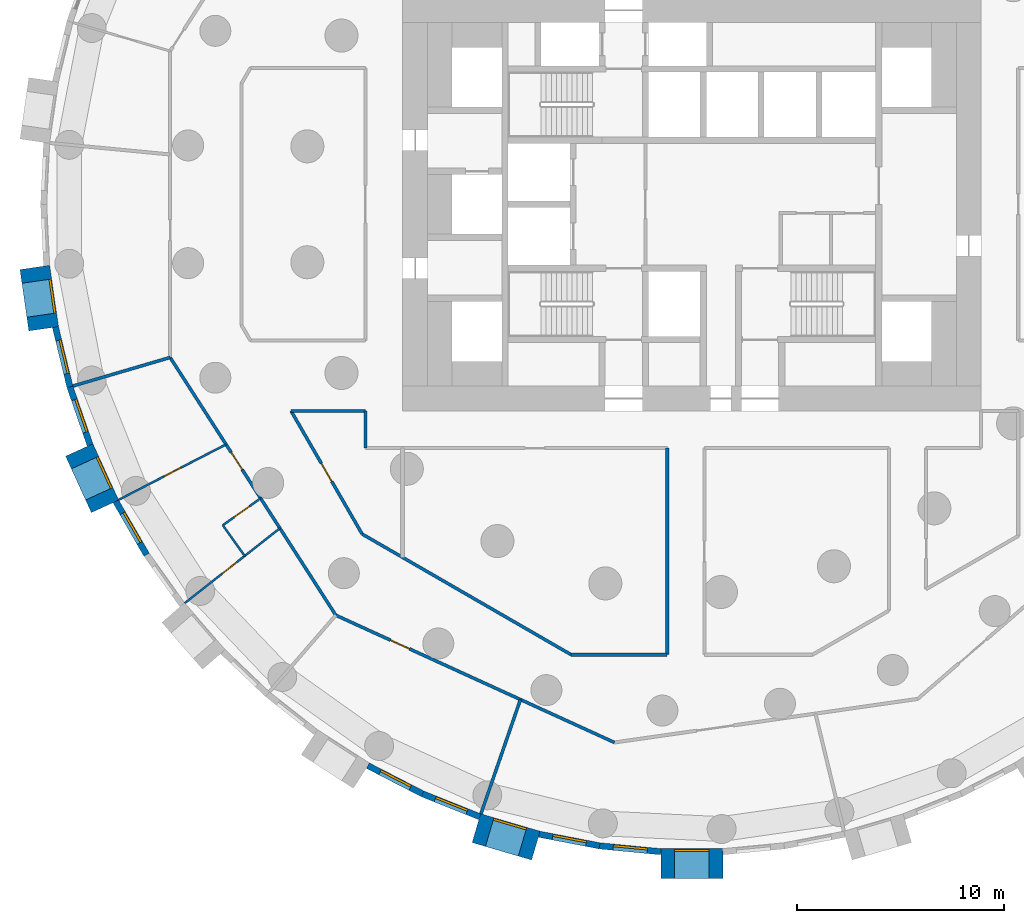
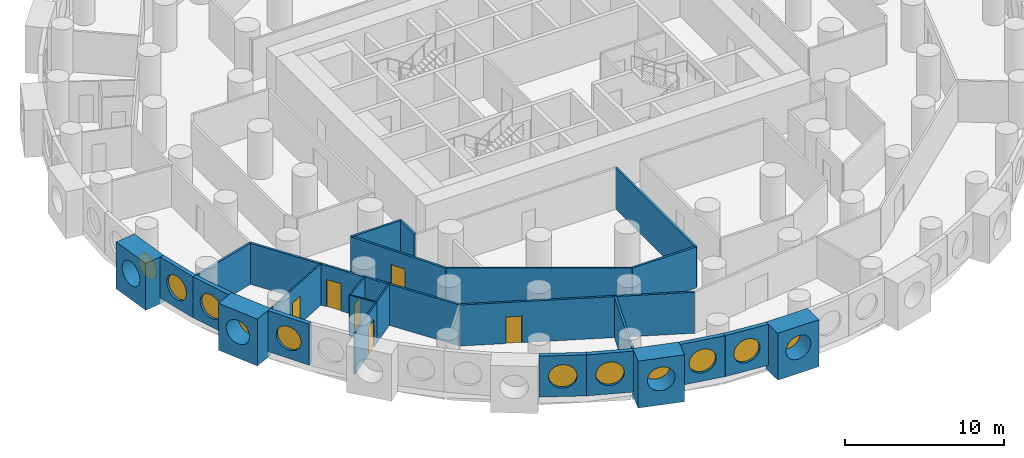
# One storey, part 3 of 12: 26 walls, 11 windows, 6 doors, 17 openings.
"""IFC4 building model written with IfcOpenShell, lengths in metres."""

from ifc_helpers import new_model, si_unit, direction, frame, frame_2d, origin, origin_2d, place, context, subcontext, project, spatial, rectangle, circle, extrude, material, layer, layer_set, type_object, element, fill, save


model = new_model("IFC4")

# Units and contexts
model_context = context("Model", 3, precision=1e-05, world=origin(), true_north=direction((0.0, 1.0)))
body_context = subcontext(model_context, "Body", "Model", "MODEL_VIEW")
ifc_project = project(units=[si_unit("LENGTHUNIT", "METRE"), si_unit("AREAUNIT", "SQUARE_METRE"), si_unit("VOLUMEUNIT", "CUBIC_METRE"), si_unit("PLANEANGLEUNIT", "RADIAN"), si_unit("MASSUNIT", "GRAM", prefix="KILO")], contexts=[model_context])

# Site, building, storey
site_placement = place(None, origin())
site = spatial("IfcSite", under=ifc_project, at=site_placement, CompositionType="ELEMENT")
building_placement = place(site_placement, origin())
building = spatial("IfcBuilding", under=site, at=building_placement, Name="Tracery Tower", CompositionType="ELEMENT")
storey_placement = place(building_placement, frame((0.0, 0.0, 53.39990234375)))
storey = spatial("IfcBuildingStorey", under=building, at=storey_placement, Name="L12", CompositionType="ELEMENT", Elevation=53.39990234375)

# Wall, opening, window
ifc_material_1 = material(Name="Precast concrete C50/60", Category="concrete")
ifc_layer_1 = layer(ifc_material_1, 1.449951171875)
ifc_layer_set_1 = layer_set([ifc_layer_1], Name="Deep-set bay unit 3000 x 3600, slab edge 450")
wall_type_1 = type_object("IfcWallType", Name="Deep-set bay unit 3000 x 3600, slab edge 450", PredefinedType="ELEMENTEDWALL", material=ifc_layer_set_1)
wall_1_placement = place(storey_placement, frame((-31.802490234375, -3.05712890625, -0.449951171875), z_axis=(0.0, 0.0, 1.0), x_axis=(0.142332746704, -0.989818866872, 0.0)))
wall_1 = element("IfcWall", 1, at=wall_1_placement, inside=storey, type_object=wall_type_1, Name="Deep-set bay unit 35 at L12", PredefinedType="ELEMENTEDWALL", context=body_context, shape_type="SweptSolid", body=[
    extrude(rectangle(XDim=3.0, YDim=1.449951171875, at=frame_2d((1.5, 0.0))), origin(), (0.0, 0.0, 1.0), 3.60009765625),
])
opening_1_placement = place(wall_1_placement, frame((1.5, 0.0, 2.0)))
opening_1 = element("IfcOpeningElement", 2, at=opening_1_placement, cuts=wall_1, Name="Opening WN1", PredefinedType="OPENING", context=body_context, shape_type="SweptSolid", body=[
    extrude(circle(Radius=0.9000244140625, at=origin_2d()), frame((0.0, 0.73486328125, 0.0), z_axis=(0.0, -1.0, 0.0), x_axis=(1.0, 0.0, 0.0)), (0.0, 0.0, 1.0), 1.469970703125),
])
ifc_material_2 = material(Name="Aluminium frame with tinted double glazing", Category="aluminium")
window_type = type_object("IfcWindowType", Name="Round window 1800", PartitioningType="SINGLE_PANEL", PredefinedType="WINDOW", material=ifc_material_2)
window_1_placement = place(opening_1_placement, origin())
window_1 = element("IfcWindow", 3, at=window_1_placement, inside=storey, type_object=window_type, Name="Round window 35 at L12", OverallHeight=1.800048828125, OverallWidth=1.800048828125, PartitioningType="SINGLE_PANEL", PredefinedType="WINDOW", context=body_context, shape_type="SweptSolid", body=[
    extrude(circle(Radius=0.9000244140625, at=origin_2d()), frame((0.0, 0.69482421875, 0.0), z_axis=(0.0, -1.0, 0.0), x_axis=(1.0, 0.0, 0.0)), (0.0, 0.0, 1.0), 0.10009765625),
])
fill(opening_1, window_1)

wall_2_placement = place(storey_placement, frame((-29.653076171875, -11.89306640625, -0.449951171875), z_axis=(0.0, 0.0, 1.0), x_axis=(0.415427028395, -0.909626508012, 0.0)))
wall_2 = element("IfcWall", 4, at=wall_2_placement, inside=storey, type_object=wall_type_1, Name="Deep-set bay unit 38 at L12", PredefinedType="ELEMENTEDWALL", context=body_context, shape_type="SweptSolid", body=[
    extrude(rectangle(XDim=3.000244140625, YDim=1.449951171875, at=frame_2d((1.5, 0.0))), origin(), (0.0, 0.0, 1.0), 3.60009765625),
])
opening_2_placement = place(wall_2_placement, frame((1.5, 0.0, 2.0)))
opening_2 = element("IfcOpeningElement", 5, at=opening_2_placement, cuts=wall_2, Name="Opening WN1", PredefinedType="OPENING", context=body_context, shape_type="SweptSolid", body=[
    extrude(circle(Radius=0.9000244140625, at=origin_2d()), frame((0.0, 0.73486328125, 0.0), z_axis=(0.0, -1.0, 0.0), x_axis=(1.0, 0.0, 0.0)), (0.0, 0.0, 1.0), 1.469970703125),
])
window_2_placement = place(opening_2_placement, origin())
window_2 = element("IfcWindow", 6, at=window_2_placement, inside=storey, type_object=window_type, Name="Round window 38 at L12", OverallHeight=1.800048828125, OverallWidth=1.800048828125, PartitioningType="SINGLE_PANEL", PredefinedType="WINDOW", context=body_context, shape_type="SweptSolid", body=[
    extrude(circle(Radius=0.9000244140625, at=origin_2d()), frame((0.0, 0.69482421875, 0.0), z_axis=(0.0, -1.0, 0.0), x_axis=(1.0, 0.0, 0.0)), (0.0, 0.0, 1.0), 0.10009765625),
])
fill(opening_2, window_2)

wall_3_placement = place(storey_placement, frame((-10.430419921875, -30.198486328125, -0.449951171875), z_axis=(0.0, 0.0, 1.0), x_axis=(0.959489813418, -0.281743319258, 0.0)))
wall_3 = element("IfcWall", 7, at=wall_3_placement, inside=storey, type_object=wall_type_1, Name="Deep-set bay unit 47 at L12", PredefinedType="ELEMENTEDWALL", context=body_context, shape_type="SweptSolid", body=[
    extrude(rectangle(XDim=3.0, YDim=1.449951171875, at=frame_2d((1.5, 0.0))), origin(), (0.0, 0.0, 1.0), 3.60009765625),
])
opening_3_placement = place(wall_3_placement, frame((1.5, 0.0, 2.0)))
opening_3 = element("IfcOpeningElement", 8, at=opening_3_placement, cuts=wall_3, Name="Opening WN1", PredefinedType="OPENING", context=body_context, shape_type="SweptSolid", body=[
    extrude(circle(Radius=0.9000244140625, at=origin_2d()), frame((0.0, 0.73486328125, 0.0), z_axis=(0.0, -1.0, 0.0), x_axis=(1.0, 0.0, 0.0)), (0.0, 0.0, 1.0), 1.469970703125),
])
window_3_placement = place(opening_3_placement, origin())
window_3 = element("IfcWindow", 9, at=window_3_placement, inside=storey, type_object=window_type, Name="Round window 47 at L12", OverallHeight=1.800048828125, OverallWidth=1.800048828125, PartitioningType="SINGLE_PANEL", PredefinedType="WINDOW", context=body_context, shape_type="SweptSolid", body=[
    extrude(circle(Radius=0.9000244140625, at=origin_2d()), frame((0.0, 0.69482421875, 0.0), z_axis=(0.0, -1.0, 0.0), x_axis=(1.0, 0.0, 0.0)), (0.0, 0.0, 1.0), 0.10009765625),
])
fill(opening_3, window_3)

wall_4_placement = place(storey_placement, frame((-1.5, -31.913818359375, -0.449951171875), z_axis=(0.0, 0.0, 1.0), x_axis=(1.0, 0.0, 0.0)))
wall_4 = element("IfcWall", 10, at=wall_4_placement, inside=storey, type_object=wall_type_1, Name="Deep-set bay unit 50 at L12", PredefinedType="ELEMENTEDWALL", context=body_context, shape_type="SweptSolid", body=[
    extrude(rectangle(XDim=3.0, YDim=1.449951171875, at=frame_2d((1.5, 0.0))), origin(), (0.0, 0.0, 1.0), 3.60009765625),
])
opening_4_placement = place(wall_4_placement, frame((1.5, 0.0, 2.0)))
opening_4 = element("IfcOpeningElement", 11, at=opening_4_placement, cuts=wall_4, Name="Opening WN1", PredefinedType="OPENING", context=body_context, shape_type="SweptSolid", body=[
    extrude(circle(Radius=0.9000244140625, at=origin_2d()), frame((0.0, 0.73486328125, 0.0), z_axis=(0.0, -1.0, 0.0), x_axis=(1.0, 0.0, 0.0)), (0.0, 0.0, 1.0), 1.469970703125),
])
window_4_placement = place(opening_4_placement, origin())
window_4 = element("IfcWindow", 12, at=window_4_placement, inside=storey, type_object=window_type, Name="Round window 50 at L12", OverallHeight=1.800048828125, OverallWidth=1.800048828125, PartitioningType="SINGLE_PANEL", PredefinedType="WINDOW", context=body_context, shape_type="SweptSolid", body=[
    extrude(circle(Radius=0.9000244140625, at=origin_2d()), frame((0.0, 0.69482421875, 0.0), z_axis=(0.0, -1.0, 0.0), x_axis=(1.0, 0.0, 0.0)), (0.0, 0.0, 1.0), 0.10009765625),
])
fill(opening_4, window_4)

ifc_material_3 = material(Name="Precast concrete C50/60", Category="concrete")
ifc_layer_2 = layer(ifc_material_3, 0.300048828125)
ifc_layer_set_2 = layer_set([ifc_layer_2], Name="Facade panel 3000 x 3150")
wall_type_2 = type_object("IfcWallType", Name="Facade panel 3000 x 3150", PredefinedType="SOLIDWALL", material=ifc_layer_set_2)
wall_5_placement = place(storey_placement, frame((-30.805908203125, -5.943603515625, 0.0), z_axis=(0.0, 0.0, 1.0), x_axis=(0.235743081534, -0.971815414319, 0.0)))
wall_5 = element("IfcWall", 13, at=wall_5_placement, inside=storey, type_object=wall_type_2, Name="Facade panel 36 at L12", PredefinedType="SOLIDWALL", context=body_context, shape_type="SweptSolid", body=[
    extrude(rectangle(XDim=2.9794921875, YDim=0.300048828125, at=frame_2d((1.48974609375, 0.0))), origin(), (0.0, 0.0, 1.0), 3.150146484375),
])
opening_5_placement = place(wall_5_placement, frame((1.48974609375, 0.0, 1.5498046875)))
opening_5 = element("IfcOpeningElement", 14, at=opening_5_placement, cuts=wall_5, Name="Opening WN1", PredefinedType="OPENING", context=body_context, shape_type="SweptSolid", body=[
    extrude(circle(Radius=0.9000244140625, at=origin_2d()), frame((0.0, 0.159912109375, 0.0), z_axis=(0.0, -1.0, 0.0), x_axis=(1.0, 0.0, 0.0)), (0.0, 0.0, 1.0), 0.320068359375),
])
window_5_placement = place(opening_5_placement, origin())
window_5 = element("IfcWindow", 15, at=window_5_placement, inside=storey, type_object=window_type, Name="Round window 36 at L12", OverallHeight=1.800048828125, OverallWidth=1.800048828125, PartitioningType="SINGLE_PANEL", PredefinedType="WINDOW", context=body_context, shape_type="SweptSolid", body=[
    extrude(circle(Radius=0.9000244140625, at=origin_2d()), frame((0.0, 0.1201171875, 0.0), z_axis=(0.0, -1.0, 0.0), x_axis=(1.0, 0.0, 0.0)), (0.0, 0.0, 1.0), 0.10009765625),
])
fill(opening_5, window_5)

wall_6_placement = place(storey_placement, frame((-30.103515625, -8.839111328125, 0.0), z_axis=(0.0, 0.0, 1.0), x_axis=(0.327071167136, -0.944999709856, 0.0)))
wall_6 = element("IfcWall", 16, at=wall_6_placement, inside=storey, type_object=wall_type_2, Name="Facade panel 37 at L12", PredefinedType="SOLIDWALL", context=body_context, shape_type="SweptSolid", body=[
    extrude(rectangle(XDim=2.979736328125, YDim=0.300048828125, at=frame_2d((1.48974609375, 0.0))), origin(), (0.0, 0.0, 1.0), 3.150146484375),
])
opening_6_placement = place(wall_6_placement, frame((1.48974609375, 0.0, 1.5498046875)))
opening_6 = element("IfcOpeningElement", 17, at=opening_6_placement, cuts=wall_6, Name="Opening WN1", PredefinedType="OPENING", context=body_context, shape_type="SweptSolid", body=[
    extrude(circle(Radius=0.9000244140625, at=origin_2d()), frame((0.0, 0.159912109375, 0.0), z_axis=(0.0, -1.0, 0.0), x_axis=(1.0, 0.0, 0.0)), (0.0, 0.0, 1.0), 0.320068359375),
])
window_6_placement = place(opening_6_placement, origin())
window_6 = element("IfcWindow", 18, at=window_6_placement, inside=storey, type_object=window_type, Name="Round window 37 at L12", OverallHeight=1.800048828125, OverallWidth=1.800048828125, PartitioningType="SINGLE_PANEL", PredefinedType="WINDOW", context=body_context, shape_type="SweptSolid", body=[
    extrude(circle(Radius=0.9000244140625, at=origin_2d()), frame((0.0, 0.1201171875, 0.0), z_axis=(0.0, -1.0, 0.0), x_axis=(1.0, 0.0, 0.0)), (0.0, 0.0, 1.0), 0.10009765625),
])
fill(opening_6, window_6)

wall_7_placement = place(storey_placement, frame((-27.8837890625, -14.3818359375, 0.0), z_axis=(0.0, 0.0, 1.0), x_axis=(0.500025049464, -0.866010940986, 0.0)))
wall_7 = element("IfcWall", 19, at=wall_7_placement, inside=storey, type_object=wall_type_2, Name="Facade panel 39 at L12", PredefinedType="SOLIDWALL", context=body_context, shape_type="SweptSolid", body=[
    extrude(rectangle(XDim=2.979736328125, YDim=0.300048828125, at=frame_2d((1.48974609375, 0.0))), origin(), (0.0, 0.0, 1.0), 3.150146484375),
])
opening_7_placement = place(wall_7_placement, frame((1.48974609375, 0.0, 1.5498046875)))
opening_7 = element("IfcOpeningElement", 20, at=opening_7_placement, cuts=wall_7, Name="Opening WN1", PredefinedType="OPENING", context=body_context, shape_type="SweptSolid", body=[
    extrude(circle(Radius=0.9000244140625, at=origin_2d()), frame((0.0, 0.159912109375, 0.0), z_axis=(0.0, -1.0, 0.0), x_axis=(1.0, 0.0, 0.0)), (0.0, 0.0, 1.0), 0.320068359375),
])
window_7_placement = place(opening_7_placement, origin())
window_7 = element("IfcWindow", 21, at=window_7_placement, inside=storey, type_object=window_type, Name="Round window 39 at L12", OverallHeight=1.800048828125, OverallWidth=1.800048828125, PartitioningType="SINGLE_PANEL", PredefinedType="WINDOW", context=body_context, shape_type="SweptSolid", body=[
    extrude(circle(Radius=0.9000244140625, at=origin_2d()), frame((0.0, 0.1201171875, 0.0), z_axis=(0.0, -1.0, 0.0), x_axis=(1.0, 0.0, 0.0)), (0.0, 0.0, 1.0), 0.10009765625),
])
fill(opening_7, window_7)

wall_8_placement = place(storey_placement, frame((-15.681884765625, -27.173828125, 0.0), z_axis=(0.0, 0.0, 1.0), x_axis=(0.888819853856, -0.458256770153, 0.0)))
wall_8 = element("IfcWall", 22, at=wall_8_placement, inside=storey, type_object=wall_type_2, Name="Facade panel 45 at L12", PredefinedType="SOLIDWALL", context=body_context, shape_type="SweptSolid", body=[
    extrude(rectangle(XDim=2.979736328125, YDim=0.300048828125, at=frame_2d((1.48974609375, 0.0))), origin(), (0.0, 0.0, 1.0), 3.150146484375),
])
opening_8_placement = place(wall_8_placement, frame((1.48974609375, 0.0, 1.5498046875)))
opening_8 = element("IfcOpeningElement", 23, at=opening_8_placement, cuts=wall_8, Name="Opening WN1", PredefinedType="OPENING", context=body_context, shape_type="SweptSolid", body=[
    extrude(circle(Radius=0.9000244140625, at=origin_2d()), frame((0.0, 0.159912109375, 0.0), z_axis=(0.0, -1.0, 0.0), x_axis=(1.0, 0.0, 0.0)), (0.0, 0.0, 1.0), 0.320068359375),
])
window_8_placement = place(opening_8_placement, origin())
window_8 = element("IfcWindow", 24, at=window_8_placement, inside=storey, type_object=window_type, Name="Round window 45 at L12", OverallHeight=1.800048828125, OverallWidth=1.800048828125, PartitioningType="SINGLE_PANEL", PredefinedType="WINDOW", context=body_context, shape_type="SweptSolid", body=[
    extrude(circle(Radius=0.9000244140625, at=origin_2d()), frame((0.0, 0.1201171875, 0.0), z_axis=(0.0, -1.0, 0.0), x_axis=(1.0, 0.0, 0.0)), (0.0, 0.0, 1.0), 0.10009765625),
])
fill(opening_8, window_8)

wall_9_placement = place(storey_placement, frame((-13.033447265625, -28.539306640625, 0.0), z_axis=(0.0, 0.0, 1.0), x_axis=(0.928403213937, -0.371574316054, 0.0)))
wall_9 = element("IfcWall", 25, at=wall_9_placement, inside=storey, type_object=wall_type_2, Name="Facade panel 46 at L12", PredefinedType="SOLIDWALL", context=body_context, shape_type="SweptSolid", body=[
    extrude(rectangle(XDim=2.979736328125, YDim=0.300048828125, at=frame_2d((1.48974609375, 0.0))), origin(), (0.0, 0.0, 1.0), 3.150146484375),
])
opening_9_placement = place(wall_9_placement, frame((1.48974609375, 0.0, 1.5498046875)))
opening_9 = element("IfcOpeningElement", 26, at=opening_9_placement, cuts=wall_9, Name="Opening WN1", PredefinedType="OPENING", context=body_context, shape_type="SweptSolid", body=[
    extrude(circle(Radius=0.9000244140625, at=origin_2d()), frame((0.0, 0.159912109375, 0.0), z_axis=(0.0, -1.0, 0.0), x_axis=(1.0, 0.0, 0.0)), (0.0, 0.0, 1.0), 0.320068359375),
])
window_9_placement = place(opening_9_placement, origin())
window_9 = element("IfcWindow", 27, at=window_9_placement, inside=storey, type_object=window_type, Name="Round window 46 at L12", OverallHeight=1.800048828125, OverallWidth=1.800048828125, PartitioningType="SINGLE_PANEL", PredefinedType="WINDOW", context=body_context, shape_type="SweptSolid", body=[
    extrude(circle(Radius=0.9000244140625, at=origin_2d()), frame((0.0, 0.1201171875, 0.0), z_axis=(0.0, -1.0, 0.0), x_axis=(1.0, 0.0, 0.0)), (0.0, 0.0, 1.0), 0.10009765625),
])
fill(opening_9, window_9)

wall_10_placement = place(storey_placement, frame((-7.390869140625, -30.4912109375, 0.0), z_axis=(0.0, 0.0, 1.0), x_axis=(0.981924535406, -0.189272836848, 0.0)))
wall_10 = element("IfcWall", 28, at=wall_10_placement, inside=storey, type_object=wall_type_2, Name="Facade panel 48 at L12", PredefinedType="SOLIDWALL", context=body_context, shape_type="SweptSolid", body=[
    extrude(rectangle(XDim=2.979736328125, YDim=0.300048828125, at=frame_2d((1.48974609375, 0.0))), origin(), (0.0, 0.0, 1.0), 3.150146484375),
])
opening_10_placement = place(wall_10_placement, frame((1.48974609375, 0.0, 1.5498046875)))
opening_10 = element("IfcOpeningElement", 29, at=opening_10_placement, cuts=wall_10, Name="Opening WN1", PredefinedType="OPENING", context=body_context, shape_type="SweptSolid", body=[
    extrude(circle(Radius=0.9000244140625, at=origin_2d()), frame((0.0, 0.159912109375, 0.0), z_axis=(0.0, -1.0, 0.0), x_axis=(1.0, 0.0, 0.0)), (0.0, 0.0, 1.0), 0.320068359375),
])
window_10_placement = place(opening_10_placement, origin())
window_10 = element("IfcWindow", 30, at=window_10_placement, inside=storey, type_object=window_type, Name="Round window 48 at L12", OverallHeight=1.800048828125, OverallWidth=1.800048828125, PartitioningType="SINGLE_PANEL", PredefinedType="WINDOW", context=body_context, shape_type="SweptSolid", body=[
    extrude(circle(Radius=0.9000244140625, at=origin_2d()), frame((0.0, 0.1201171875, 0.0), z_axis=(0.0, -1.0, 0.0), x_axis=(1.0, 0.0, 0.0)), (0.0, 0.0, 1.0), 0.10009765625),
])
fill(opening_10, window_10)

wall_11_placement = place(storey_placement, frame((-4.465087890625, -31.05517578125, 0.0), z_axis=(0.0, 0.0, 1.0), x_axis=(0.995473351551, -0.095041077185, 0.0)))
wall_11 = element("IfcWall", 31, at=wall_11_placement, inside=storey, type_object=wall_type_2, Name="Facade panel 49 at L12", PredefinedType="SOLIDWALL", context=body_context, shape_type="SweptSolid", body=[
    extrude(rectangle(XDim=2.979736328125, YDim=0.300048828125, at=frame_2d((1.48974609375, 0.0))), origin(), (0.0, 0.0, 1.0), 3.150146484375),
])
opening_11_placement = place(wall_11_placement, frame((1.48974609375, 0.0, 1.5498046875)))
opening_11 = element("IfcOpeningElement", 32, at=opening_11_placement, cuts=wall_11, Name="Opening WN1", PredefinedType="OPENING", context=body_context, shape_type="SweptSolid", body=[
    extrude(circle(Radius=0.9000244140625, at=origin_2d()), frame((0.0, 0.159912109375, 0.0), z_axis=(0.0, -1.0, 0.0), x_axis=(1.0, 0.0, 0.0)), (0.0, 0.0, 1.0), 0.320068359375),
])
window_11_placement = place(opening_11_placement, origin())
window_11 = element("IfcWindow", 33, at=window_11_placement, inside=storey, type_object=window_type, Name="Round window 49 at L12", OverallHeight=1.800048828125, OverallWidth=1.800048828125, PartitioningType="SINGLE_PANEL", PredefinedType="WINDOW", context=body_context, shape_type="SweptSolid", body=[
    extrude(circle(Radius=0.9000244140625, at=origin_2d()), frame((0.0, 0.1201171875, 0.0), z_axis=(0.0, -1.0, 0.0), x_axis=(1.0, 0.0, 0.0)), (0.0, 0.0, 1.0), 0.10009765625),
])
fill(opening_11, window_11)

# Wall, opening, door
ifc_material_4 = material(Name="Plasterboard on steel studs", Category="steel")
ifc_layer_3 = layer(ifc_material_4, 0.10009765625)
ifc_layer_set_3 = layer_set([ifc_layer_3], Name="Partition 100 stud")
wall_type_3 = type_object("IfcWallType", Name="Partition 100 stud", PredefinedType="PARTITIONING", material=ifc_layer_set_3)
wall_12_placement = place(storey_placement, frame((-27.7529296875, -14.30810546875, 0.0), z_axis=(0.0, 0.0, 1.0), x_axis=(0.88877955153, 0.45833493079, 0.0)))
wall_12 = element("IfcWall", 34, at=wall_12_placement, inside=storey, type_object=wall_type_3, Name="Stud partition RA3-094", PredefinedType="PARTITIONING", context=body_context, shape_type="SweptSolid", body=[
    extrude(rectangle(XDim=5.856201171875, YDim=0.10009765625, at=frame_2d((2.92822265625, 0.0))), origin(), (0.0, 0.0, 1.0), 3.150146484375),
])
opening_12_placement = place(wall_12_placement, frame((2.47802734375, 0.0, 0.0)))
opening_12 = element("IfcOpeningElement", 35, at=opening_12_placement, cuts=wall_12, Name="Opening RA3-34", PredefinedType="OPENING", context=body_context, shape_type="SweptSolid", body=[
    extrude(rectangle(XDim=0.89990234375, YDim=2.10009765625, at=frame_2d((0.449951171875, 1.050048828125))), frame((0.0, 0.050048828125, 0.0), z_axis=(0.0, -1.0, 0.0), x_axis=(1.0, 0.0, 0.0)), (0.0, 0.0, 1.0), 0.10009765625),
])
ifc_material_5 = material(Name="Timber door leaf", Category="wood")
door_type_1 = type_object("IfcDoorType", Name="Door bedroom 900", OperationType="NOTDEFINED", PredefinedType="DOOR", material=ifc_material_5)
door_1_placement = place(opening_12_placement, origin())
door_1 = element("IfcDoor", 36, at=door_1_placement, inside=storey, type_object=door_type_1, Name="Bedroom door RA3-34", OperationType="SINGLE_SWING_LEFT", OverallHeight=2.10009765625, OverallWidth=0.89990234375, PredefinedType="DOOR", context=body_context, shape_type="SweptSolid", body=[
    extrude(rectangle(XDim=0.89990234375, YDim=2.10009765625, at=frame_2d((0.449951171875, 1.050048828125))), frame((0.0, 0.02490234375, 0.0), z_axis=(0.0, -1.0, 0.0), x_axis=(1.0, 0.0, 0.0)), (0.0, 0.0, 1.0), 0.050048828125),
])
fill(opening_12, door_1)

wall_13_placement = place(storey_placement, frame((-24.5439453125, -19.302001953125, 0.0), z_axis=(0.0, 0.0, 1.0), x_axis=(0.785987576403, 0.618242290481, 0.0)))
wall_13 = element("IfcWall", 37, at=wall_13_placement, inside=storey, type_object=wall_type_3, Name="Stud partition RA3-095", PredefinedType="PARTITIONING", context=body_context, shape_type="SweptSolid", body=[
    extrude(rectangle(XDim=3.689453125, YDim=0.10009765625, at=frame_2d((1.8447265625, 0.0))), origin(), (0.0, 0.0, 1.0), 3.150146484375),
])
opening_13_placement = place(wall_13_placement, frame((2.294677734375, 0.0, 0.0)))
opening_13 = element("IfcOpeningElement", 38, at=opening_13_placement, cuts=wall_13, Name="Opening RA3-35", PredefinedType="OPENING", context=body_context, shape_type="SweptSolid", body=[
    extrude(rectangle(XDim=0.89990234375, YDim=2.10009765625, at=frame_2d((0.449951171875, 1.050048828125))), frame((0.0, 0.050048828125, 0.0), z_axis=(0.0, -1.0, 0.0), x_axis=(1.0, 0.0, 0.0)), (0.0, 0.0, 1.0), 0.10009765625),
])
door_2_placement = place(opening_13_placement, origin())
door_2 = element("IfcDoor", 39, at=door_2_placement, inside=storey, type_object=door_type_1, Name="Bedroom door RA3-35", OperationType="SINGLE_SWING_LEFT", OverallHeight=2.10009765625, OverallWidth=0.89990234375, PredefinedType="DOOR", context=body_context, shape_type="SweptSolid", body=[
    extrude(rectangle(XDim=0.89990234375, YDim=2.10009765625, at=frame_2d((0.449951171875, 1.050048828125))), frame((0.0, 0.02490234375, 0.0), z_axis=(0.0, -1.0, 0.0), x_axis=(1.0, 0.0, 0.0)), (0.0, 0.0, 1.0), 0.050048828125),
])
fill(opening_13, door_2)

ifc_material_6 = material(Name="Plasterboard on steel studs", Category="steel")
ifc_layer_4 = layer(ifc_material_6, 0.10009765625)
ifc_layer_set_4 = layer_set([ifc_layer_4], Name="Partition 100 wet wall")
wall_type_4 = type_object("IfcWallType", Name="Partition 100 wet wall", PredefinedType="PARTITIONING", material=ifc_layer_set_4)
wall_14_placement = place(storey_placement, frame((-22.702880859375, -15.534912109375, 0.0), z_axis=(0.0, 0.0, 1.0), x_axis=(0.814525331415, 0.580127989743, 0.0)))
wall_14 = element("IfcWall", 40, at=wall_14_placement, inside=storey, type_object=wall_type_4, Name="Wet wall RA3-096", PredefinedType="PARTITIONING", context=body_context, shape_type="SweptSolid", body=[
    extrude(rectangle(XDim=2.247802734375, YDim=0.10009765625, at=frame_2d((1.1240234375, 0.0))), origin(), (0.0, 0.0, 1.0), 3.150146484375),
])
opening_14_placement = place(wall_14_placement, frame((0.673828125, 0.0, 0.0)))
opening_14 = element("IfcOpeningElement", 41, at=opening_14_placement, cuts=wall_14, Name="Opening RA3-36", PredefinedType="OPENING", context=body_context, shape_type="SweptSolid", body=[
    extrude(rectangle(XDim=0.89990234375, YDim=2.0, at=frame_2d((0.449951171875, 1.0))), frame((0.0, 0.050048828125, 0.0), z_axis=(0.0, -1.0, 0.0), x_axis=(1.0, 0.0, 0.0)), (0.0, 0.0, 1.0), 0.10009765625),
])
ifc_material_7 = material(Name="Timber door leaf", Category="wood")
door_type_2 = type_object("IfcDoorType", Name="Door shower room 900", OperationType="NOTDEFINED", PredefinedType="DOOR", material=ifc_material_7)
door_3_placement = place(opening_14_placement, origin())
door_3 = element("IfcDoor", 42, at=door_3_placement, inside=storey, type_object=door_type_2, Name="Shower room door RA3-36", OperationType="SINGLE_SWING_RIGHT", OverallHeight=2.0, OverallWidth=0.89990234375, PredefinedType="DOOR", context=body_context, shape_type="SweptSolid", body=[
    extrude(rectangle(XDim=0.89990234375, YDim=2.0, at=frame_2d((0.449951171875, 1.0))), frame((0.0, 0.02490234375, 0.0), z_axis=(0.0, -1.0, 0.0), x_axis=(1.0, 0.0, 0.0)), (0.0, 0.0, 1.0), 0.050048828125),
])
fill(opening_14, door_3)

# Walls
wall_15_placement = place(storey_placement, frame((-22.702880859375, -15.534912109375, 0.0), z_axis=(0.0, 0.0, 1.0), x_axis=(0.580275898497, -0.814419966371, 0.0)))
element("IfcWall", 43, at=wall_15_placement, inside=storey, type_object=wall_type_4, Name="Wet wall RA3-097", PredefinedType="PARTITIONING", context=body_context, shape_type="SweptSolid", body=[
    extrude(rectangle(XDim=1.82470703125, YDim=0.10009765625, at=frame_2d((0.912353515625, 0.0))), origin(), (0.0, 0.0, 1.0), 3.150146484375),
])
wall_16_placement = place(storey_placement, frame((-21.64697265625, -17.02294921875, 0.0), z_axis=(0.0, 0.0, 1.0), x_axis=(0.786138836794, 0.618049940769, 0.0)))
element("IfcWall", 44, at=wall_16_placement, inside=storey, type_object=wall_type_4, Name="Wet wall RA3-098", PredefinedType="PARTITIONING", context=body_context, shape_type="SweptSolid", body=[
    extrude(rectangle(XDim=2.17138671875, YDim=0.10009765625, at=frame_2d((1.085693359375, 0.0))), origin(), (0.0, 0.0, 1.0), 3.150146484375),
])
ifc_material_8 = material(Name="Plasterboard on steel studs", Category="steel")
ifc_layer_5 = layer(ifc_material_8, 0.14990234375)
ifc_layer_set_5 = layer_set([ifc_layer_5], Name="Partition 150 acoustic unit wall")
wall_type_5 = type_object("IfcWallType", Name="Partition 150 acoustic unit wall", PredefinedType="PARTITIONING", material=ifc_layer_set_5)
wall_17_placement = place(storey_placement, frame((-29.958984375, -8.797119140625, 0.0), z_axis=(0.0, 0.0, 1.0), x_axis=(0.959478767209, 0.281780934902, 0.0)))
element("IfcWall", 45, at=wall_17_placement, inside=storey, type_object=wall_type_5, Name="Unit wall RA3-093", PredefinedType="PARTITIONING", context=body_context, shape_type="SweptSolid", body=[
    extrude(rectangle(XDim=4.90478515625, YDim=0.14990234375, at=frame_2d((2.452392578125, 0.0))), origin(), (0.0, 0.0, 1.0), 3.150146484375),
])
wall_18_placement = place(storey_placement, frame((-10.2119140625, -29.507080078125, 0.0), z_axis=(0.0, 0.0, 1.0), x_axis=(0.32692444056, 0.94505048022, 0.0)))
element("IfcWall", 46, at=wall_18_placement, inside=storey, type_object=wall_type_5, Name="Unit wall RA3-100", PredefinedType="PARTITIONING", context=body_context, shape_type="SweptSolid", body=[
    extrude(rectangle(XDim=5.85693359375, YDim=0.14990234375, at=frame_2d((2.928466796875, 0.0))), origin(), (0.0, 0.0, 1.0), 3.150146484375),
])
ifc_material_9 = material(Name="Plasterboard on steel studs", Category="steel")
ifc_layer_6 = layer(ifc_material_9, 0.14990234375)
ifc_layer_set_6 = layer_set([ifc_layer_6], Name="Partition 150 corridor wall")
wall_type_6 = type_object("IfcWallType", Name="Partition 150 corridor wall", PredefinedType="PARTITIONING", material=ifc_layer_set_6)
wall_19_placement = place(storey_placement, frame((-15.800048828125, -11.800048828125, 0.0), z_axis=(0.0, 0.0, 1.0), x_axis=(0.0, 1.0, 0.0)))
element("IfcWall", 47, at=wall_19_placement, inside=storey, type_object=wall_type_6, Name="Corridor wall RA3-009", PredefinedType="PARTITIONING", context=body_context, shape_type="SweptSolid", body=[
    extrude(rectangle(XDim=1.800048828125, YDim=0.14990234375, at=frame_2d((0.89990234375, 0.0))), origin(), (0.0, 0.0, 1.0), 3.150146484375),
])
wall_20_placement = place(storey_placement, frame((-19.40087890625, -10.0, 0.0), z_axis=(0.0, 0.0, 1.0), x_axis=(1.0, 0.0, 0.0)))
element("IfcWall", 48, at=wall_20_placement, inside=storey, type_object=wall_type_6, Name="Corridor wall RA3-043", PredefinedType="PARTITIONING", context=body_context, shape_type="SweptSolid", body=[
    extrude(rectangle(XDim=3.600830078125, YDim=0.14990234375, at=frame_2d((1.80029296875, 0.0))), origin(), (0.0, 0.0, 1.0), 3.150146484375),
])

# Wall, opening, door
wall_21_placement = place(storey_placement, frame((-19.40087890625, -10.0, 0.0), z_axis=(0.0, 0.0, 1.0), x_axis=(0.499992689227, -0.86602962462, 0.0)))
wall_21 = element("IfcWall", 49, at=wall_21_placement, inside=storey, type_object=wall_type_6, Name="Corridor wall RA3-044", PredefinedType="PARTITIONING", context=body_context, shape_type="SweptSolid", body=[
    extrude(rectangle(XDim=6.8818359375, YDim=0.14990234375, at=frame_2d((3.44091796875, 0.0))), origin(), (0.0, 0.0, 1.0), 3.150146484375),
])
opening_15_placement = place(wall_21_placement, frame((2.94091796875, 0.0, 0.0)))
opening_15 = element("IfcOpeningElement", 50, at=opening_15_placement, cuts=wall_21, Name="Opening RA3-10", PredefinedType="OPENING", context=body_context, shape_type="SweptSolid", body=[
    extrude(rectangle(XDim=1.0, YDim=2.0400390625, at=frame_2d((0.5, 1.02001953125))), frame((0.0, 0.074951171875, 0.0), z_axis=(0.0, -1.0, 0.0), x_axis=(1.0, 0.0, 0.0)), (0.0, 0.0, 1.0), 0.14990234375),
])
ifc_material_10 = material(Name="Timber door leaf", Category="wood")
door_type_3 = type_object("IfcDoorType", Name="Door communal room 1000", OperationType="NOTDEFINED", PredefinedType="DOOR", material=ifc_material_10)
door_4_placement = place(opening_15_placement, origin())
door_4 = element("IfcDoor", 51, at=door_4_placement, inside=storey, type_object=door_type_3, Name="Communal room door RA3-10", OperationType="SINGLE_SWING_LEFT", OverallHeight=2.0400390625, OverallWidth=1.0, PredefinedType="DOOR", context=body_context, shape_type="SweptSolid", body=[
    extrude(rectangle(XDim=1.0, YDim=2.0400390625, at=frame_2d((0.5, 1.02001953125))), frame((0.0, 0.02490234375, 0.0), z_axis=(0.0, -1.0, 0.0), x_axis=(1.0, 0.0, 0.0)), (0.0, 0.0, 1.0), 0.050048828125),
])
fill(opening_15, door_4)

wall_22_placement = place(storey_placement, frame((-25.252685546875, -7.414794921875, 0.0), z_axis=(0.0, 0.0, 1.0), x_axis=(0.540667724156, -0.841236240337, 0.0)))
wall_22 = element("IfcWall", 52, at=wall_22_placement, inside=storey, type_object=wall_type_6, Name="Corridor wall RA3-046", PredefinedType="PARTITIONING", context=body_context, shape_type="SweptSolid", body=[
    extrude(rectangle(XDim=14.82958984375, YDim=0.14990234375, at=frame_2d((7.414794921875, 0.0))), origin(), (0.0, 0.0, 1.0), 3.150146484375),
])
opening_16_placement = place(wall_22_placement, frame((5.4521484375, 0.0, 0.0)))
opening_16 = element("IfcOpeningElement", 53, at=opening_16_placement, cuts=wall_22, Name="Opening RA3-37", PredefinedType="OPENING", context=body_context, shape_type="SweptSolid", body=[
    extrude(rectangle(XDim=1.0, YDim=2.10009765625, at=frame_2d((0.5, 1.050048828125))), frame((0.0, 0.074951171875, 0.0), z_axis=(0.0, -1.0, 0.0), x_axis=(1.0, 0.0, 0.0)), (0.0, 0.0, 1.0), 0.14990234375),
])
ifc_material_11 = material(Name="Timber door leaf", Category="wood")
door_type_4 = type_object("IfcDoorType", Name="Door unit entrance 1000", OperationType="NOTDEFINED", PredefinedType="DOOR", material=ifc_material_11)
door_5_placement = place(opening_16_placement, origin())
door_5 = element("IfcDoor", 54, at=door_5_placement, inside=storey, type_object=door_type_4, Name="Unit entrance door RA3-37", OperationType="SINGLE_SWING_RIGHT", OverallHeight=2.10009765625, OverallWidth=1.0, PredefinedType="DOOR", context=body_context, shape_type="SweptSolid", body=[
    extrude(rectangle(XDim=1.0, YDim=2.10009765625, at=frame_2d((0.5, 1.050048828125))), frame((0.0, 0.02490234375, 0.0), z_axis=(0.0, -1.0, 0.0), x_axis=(1.0, 0.0, 0.0)), (0.0, 0.0, 1.0), 0.050048828125),
])
fill(opening_16, door_5)

# Walls
wall_23_placement = place(storey_placement, frame((-15.960205078125, -15.960205078125, 0.0), z_axis=(0.0, 0.0, 1.0), x_axis=(0.866022730501, -0.500004630234, 0.0)))
element("IfcWall", 55, at=wall_23_placement, inside=storey, type_object=wall_type_6, Name="Corridor wall RA3-047", PredefinedType="PARTITIONING", context=body_context, shape_type="SweptSolid", body=[
    extrude(rectangle(XDim=11.68359375, YDim=0.14990234375, at=frame_2d((5.841796875, 0.0))), origin(), (0.0, 0.0, 1.0), 3.150146484375),
])
wall_24_placement = place(storey_placement, frame((-5.842041015625, -21.802001953125, 0.0), z_axis=(0.0, 0.0, 1.0), x_axis=(1.0, 0.0, 0.0)))
element("IfcWall", 56, at=wall_24_placement, inside=storey, type_object=wall_type_6, Name="Corridor wall RA3-048", PredefinedType="PARTITIONING", context=body_context, shape_type="SweptSolid", body=[
    extrude(rectangle(XDim=4.650146484375, YDim=0.14990234375, at=frame_2d((2.3251953125, 0.0))), origin(), (0.0, 0.0, 1.0), 3.150146484375),
])
wall_25_placement = place(storey_placement, frame((-1.19189453125, -21.802001953125, 0.0), z_axis=(0.0, 0.0, 1.0), x_axis=(0.0, 1.0, 0.0)))
element("IfcWall", 57, at=wall_25_placement, inside=storey, type_object=wall_type_6, Name="Corridor wall RA3-049", PredefinedType="PARTITIONING", context=body_context, shape_type="SweptSolid", body=[
    extrude(rectangle(XDim=10.001953125, YDim=0.14990234375, at=frame_2d((5.0009765625, 0.0))), origin(), (0.0, 0.0, 1.0), 3.150146484375),
])

# Wall, opening, door
wall_26_placement = place(storey_placement, frame((-17.235107421875, -19.889892578125, 0.0), z_axis=(0.0, 0.0, 1.0), x_axis=(0.909617953634, -0.415445758705, 0.0)))
wall_26 = element("IfcWall", 58, at=wall_26_placement, inside=storey, type_object=wall_type_6, Name="Corridor wall RA3-056", PredefinedType="PARTITIONING", context=body_context, shape_type="SweptSolid", body=[
    extrude(rectangle(XDim=14.82958984375, YDim=0.14990234375, at=frame_2d((7.414794921875, 0.0))), origin(), (0.0, 0.0, 1.0), 3.150146484375),
])
opening_17_placement = place(wall_26_placement, frame((2.91552734375, 0.0, 0.0)))
opening_17 = element("IfcOpeningElement", 59, at=opening_17_placement, cuts=wall_26, Name="Opening RA3-38", PredefinedType="OPENING", context=body_context, shape_type="SweptSolid", body=[
    extrude(rectangle(XDim=1.0, YDim=2.0400390625, at=frame_2d((0.5, 1.02001953125))), frame((0.0, 0.074951171875, 0.0), z_axis=(0.0, -1.0, 0.0), x_axis=(1.0, 0.0, 0.0)), (0.0, 0.0, 1.0), 0.14990234375),
])
door_6_placement = place(opening_17_placement, origin())
door_6 = element("IfcDoor", 60, at=door_6_placement, inside=storey, type_object=door_type_3, Name="Communal room door RA3-38", OperationType="SINGLE_SWING_RIGHT", OverallHeight=2.0400390625, OverallWidth=1.0, PredefinedType="DOOR", context=body_context, shape_type="SweptSolid", body=[
    extrude(rectangle(XDim=1.0, YDim=2.0400390625, at=frame_2d((0.5, 1.02001953125))), frame((0.0, 0.02490234375, 0.0), z_axis=(0.0, -1.0, 0.0), x_axis=(1.0, 0.0, 0.0)), (0.0, 0.0, 1.0), 0.050048828125),
])
fill(opening_17, door_6)

save(model, "model.ifc")
